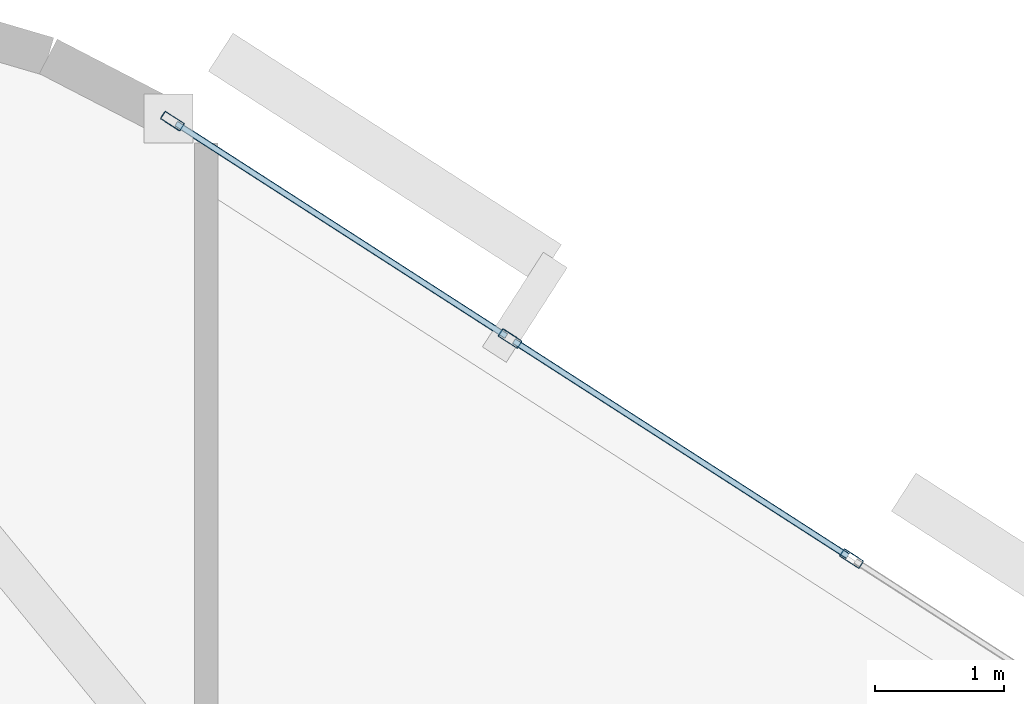
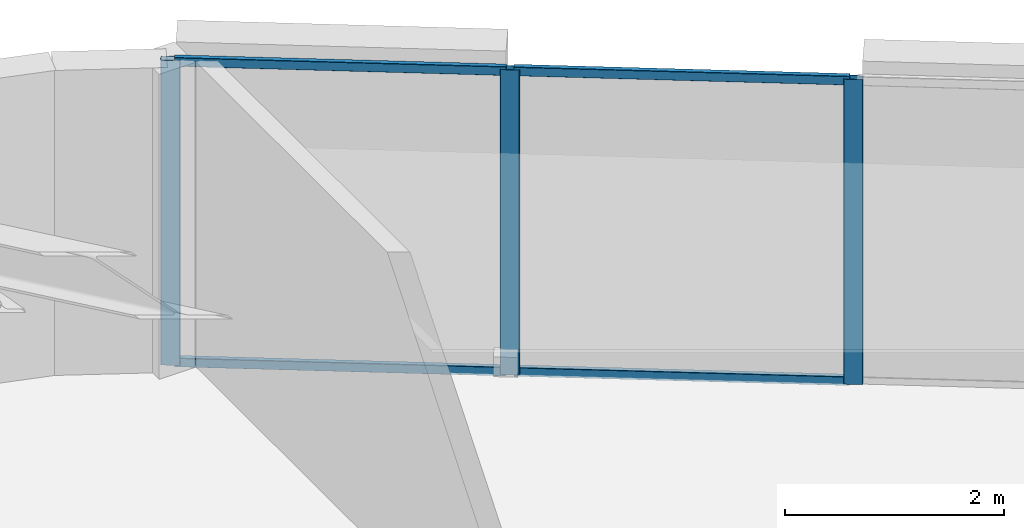
# One storey, part 8 of 14: 7 members, 1 element without a shape of its own.
"""IFC4 building model written with IfcOpenShell, lengths in metres."""

from ifc_helpers import new_model, si_unit, direction, frame, origin, origin_2d, place, context, subcontext, project, spatial, hollow_rectangle, extrude, material, layer, layer_set, material_profile, profile_set, type_object, element, aggregate, save


model = new_model("IFC4")

# Units and contexts
model_context = context("Model", 3, precision=1e-05, world=origin(), true_north=direction((0.0, 1.0)))
body_context = subcontext(model_context, "Body", "Model", "MODEL_VIEW")
ifc_project = project(units=[si_unit("LENGTHUNIT", "METRE"), si_unit("AREAUNIT", "SQUARE_METRE"), si_unit("VOLUMEUNIT", "CUBIC_METRE"), si_unit("PLANEANGLEUNIT", "RADIAN"), si_unit("MASSUNIT", "GRAM", prefix="KILO")], contexts=[model_context])

# Site, building, storey
site_placement = place(None, origin())
site = spatial("IfcSite", under=ifc_project, at=site_placement, CompositionType="ELEMENT")
building_placement = place(site_placement, origin())
building = spatial("IfcBuilding", under=site, at=building_placement, Name="An Khanh Terracotta Commons", CompositionType="ELEMENT")
storey_placement = place(building_placement, frame((0.0, 0.0, 158.199951171875)))
storey = spatial("IfcBuildingStorey", under=building, at=storey_placement, Name="L41", CompositionType="ELEMENT", Elevation=158.199951171875)

# Curtain wall, members
ifc_material = material(Name="Anodised Aluminium 6063-T6", Category="aluminium")
ifc_layer = layer(ifc_material, 0.2099609375, Name="Anodised Aluminium 6063-T6")
ifc_layer_set = layer_set([ifc_layer], Name="Anodised Aluminium 6063-T6")
curtain_wall_type = type_object("IfcCurtainWallType", Name="CW-SYS-03", PredefinedType="USERDEFINED", material=ifc_layer_set)
curtain_wall_placement = place(storey_placement, origin())
curtain_wall = element("IfcCurtainWall", 1, at=curtain_wall_placement, inside=storey, type_object=curtain_wall_type, Name="L41 CW-03 Unitised Curtain Wall CW-L41-16", ObjectType="UNITISED CURTAIN WALL", PredefinedType="USERDEFINED")
ifc_material_profile_1 = material_profile(ifc_material, hollow_rectangle(XDim=0.070068359375, YDim=0.179931640625, WallThickness=0.00390625, InnerFilletRadius=0.00390625, OuterFilletRadius=0.008056640625, at=origin_2d()), Name="RHS180x70x4")
ifc_profile_set_1 = profile_set([ifc_material_profile_1], Name="Anodised Aluminium 6063-T6")
member_type_1 = type_object("IfcMemberType", Name="CWM-RHS180x70x4", PredefinedType="MULLION", material=ifc_profile_set_1)
member_1_placement = place(storey_placement, frame((57.838623046875, 37.52392578125, 0.0), z_axis=(0.0, 0.0, 1.0), x_axis=(-0.541497931062, -0.840702081986, 0.0)))
member_1 = element("IfcMember", 2, at=member_1_placement, type_object=member_type_1, Name="CW-03 mullion 2", PredefinedType="MULLION", context=body_context, shape_type="SweptSolid", body=[
    extrude(hollow_rectangle(XDim=0.070068359375, YDim=0.179931640625, WallThickness=0.00390625, InnerFilletRadius=0.00390625, OuterFilletRadius=0.008056640625, at=origin_2d()), origin(), (0.0, 0.0, 1.0), 3.400146484375),
])
member_2_placement = place(storey_placement, frame((55.19921875, 39.22412109375, 0.0), z_axis=(0.0, 0.0, 1.0), x_axis=(-0.541497931062, -0.840702081986, 0.0)))
member_2 = element("IfcMember", 3, at=member_2_placement, type_object=member_type_1, Name="CW-03 mullion 3", PredefinedType="MULLION", context=body_context, shape_type="SweptSolid", body=[
    extrude(hollow_rectangle(XDim=0.070068359375, YDim=0.179931640625, WallThickness=0.00390625, InnerFilletRadius=0.00390625, OuterFilletRadius=0.008056640625, at=origin_2d()), origin(), (0.0, 0.0, 1.0), 3.400146484375),
])
member_3_placement = place(storey_placement, frame((52.58935546875, 40.905029296875, 0.0), z_axis=(0.0, 0.0, 1.0), x_axis=(-0.541497931062, -0.840702081986, 0.0)))
member_3 = element("IfcMember", 4, at=member_3_placement, type_object=member_type_1, Name="CW-03 mullion 4", PredefinedType="MULLION", context=body_context, shape_type="SweptSolid", body=[
    extrude(hollow_rectangle(XDim=0.070068359375, YDim=0.179931640625, WallThickness=0.00390625, InnerFilletRadius=0.00390625, OuterFilletRadius=0.008056640625, at=origin_2d()), origin(), (0.0, 0.0, 1.0), 3.400146484375),
])
ifc_material_profile_2 = material_profile(ifc_material, hollow_rectangle(XDim=0.050048828125, YDim=0.10009765625, WallThickness=0.003173828125, InnerFilletRadius=0.003173828125, OuterFilletRadius=0.00634765625, at=origin_2d()), Name="RHS100x50x3.2")
ifc_profile_set_2 = profile_set([ifc_material_profile_2], Name="Anodised Aluminium 6063-T6")
member_type_2 = type_object("IfcMemberType", Name="CWT-RHS100x50x3.2", PredefinedType="USERDEFINED", material=ifc_profile_set_2)
member_4_placement = place(storey_placement, frame((57.809326171875, 37.54296875, 0.025146484375), z_axis=(-0.840707825526, 0.54148901383, 0.0), x_axis=(-0.54148901383, -0.840707825526, 0.0)))
member_4 = element("IfcMember", 5, at=member_4_placement, type_object=member_type_2, Name="CW-03 transom 2.1", ObjectType="TRANSOM", PredefinedType="USERDEFINED", context=body_context, shape_type="SweptSolid", body=[
    extrude(hollow_rectangle(XDim=0.050048828125, YDim=0.10009765625, WallThickness=0.003173828125, InnerFilletRadius=0.003173828125, OuterFilletRadius=0.00634765625, at=origin_2d()), origin(), (0.0, 0.0, 1.0), 3.069580078125),
])
member_5_placement = place(storey_placement, frame((57.809326171875, 37.54296875, 3.375), z_axis=(-0.840707825526, 0.54148901383, 0.0), x_axis=(-0.54148901383, -0.840707825526, 0.0)))
member_5 = element("IfcMember", 6, at=member_5_placement, type_object=member_type_2, Name="CW-03 transom 2.2", ObjectType="TRANSOM", PredefinedType="USERDEFINED", context=body_context, shape_type="SweptSolid", body=[
    extrude(hollow_rectangle(XDim=0.050048828125, YDim=0.10009765625, WallThickness=0.003173828125, InnerFilletRadius=0.003173828125, OuterFilletRadius=0.00634765625, at=origin_2d()), origin(), (0.0, 0.0, 1.0), 3.069580078125),
])
member_6_placement = place(storey_placement, frame((55.169921875, 39.242919921875, 0.025146484375), z_axis=(-0.840710223453, 0.541485290826, 0.0), x_axis=(-0.541485290826, -0.840710223453, 0.0)))
member_6 = element("IfcMember", 7, at=member_6_placement, type_object=member_type_2, Name="CW-03 transom 3.1", ObjectType="TRANSOM", PredefinedType="USERDEFINED", context=body_context, shape_type="SweptSolid", body=[
    extrude(hollow_rectangle(XDim=0.050048828125, YDim=0.10009765625, WallThickness=0.003173828125, InnerFilletRadius=0.003173828125, OuterFilletRadius=0.00634765625, at=origin_2d()), origin(), (0.0, 0.0, 1.0), 3.034423828125),
])
member_7_placement = place(storey_placement, frame((55.169921875, 39.242919921875, 3.375), z_axis=(-0.840710223453, 0.541485290826, 0.0), x_axis=(-0.541485290826, -0.840710223453, 0.0)))
member_7 = element("IfcMember", 8, at=member_7_placement, type_object=member_type_2, Name="CW-03 transom 3.2", ObjectType="TRANSOM", PredefinedType="USERDEFINED", context=body_context, shape_type="SweptSolid", body=[
    extrude(hollow_rectangle(XDim=0.050048828125, YDim=0.10009765625, WallThickness=0.003173828125, InnerFilletRadius=0.003173828125, OuterFilletRadius=0.00634765625, at=origin_2d()), origin(), (0.0, 0.0, 1.0), 3.034423828125),
])
aggregate(curtain_wall, [member_1, member_2, member_3, member_4, member_5, member_6, member_7])

save(model, "model.ifc")
